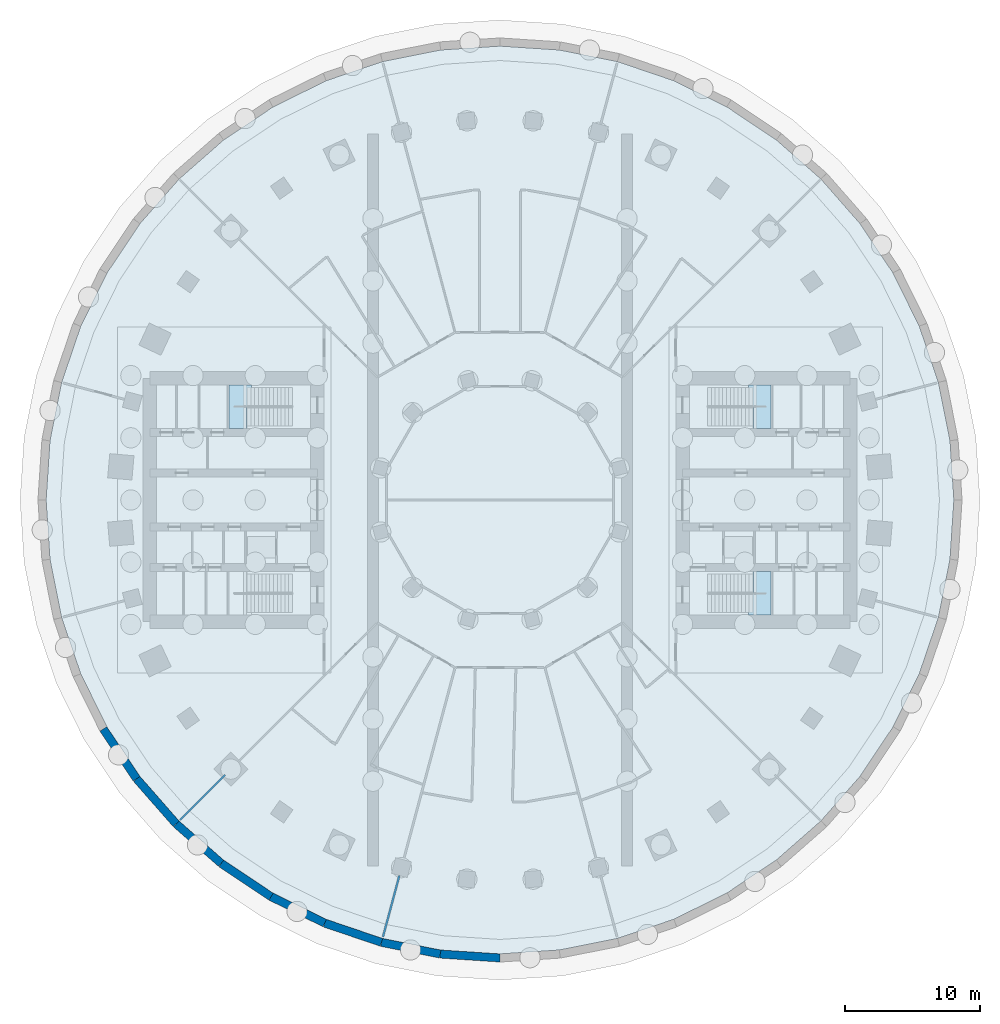
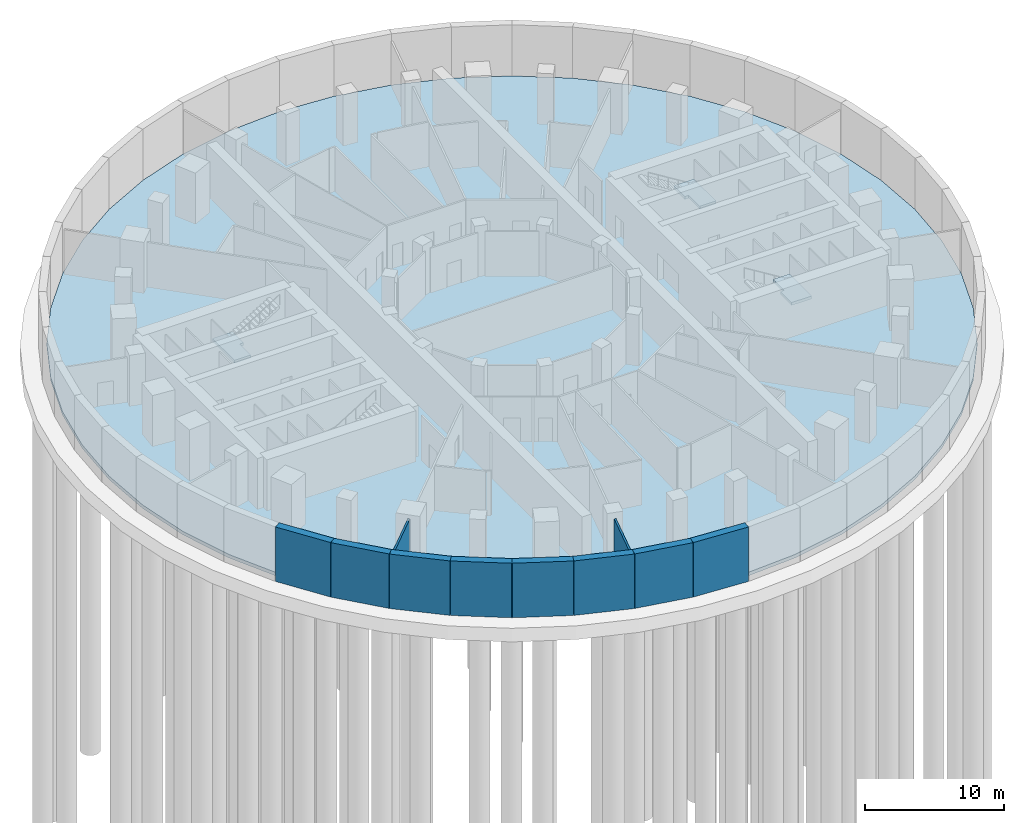
# One storey, part 2 of 10: 10 walls, 4 slabs, 3 elements without a shape of their own.
"""IFC4 building model written with IfcOpenShell, lengths in metres."""

from ifc_helpers import new_model, si_unit, direction, frame, frame_2d, origin, place, context, subcontext, project, spatial, polyline, rectangle, outline, extrude, material, layer, layer_set, type_object, element, aggregate, save


model = new_model("IFC4")

# Units and contexts
model_context = context("Model", 3, precision=1e-05, world=origin(), true_north=direction((0.0, 1.0)))
body_context = subcontext(model_context, "Body", "Model", "MODEL_VIEW")
ifc_project = project(units=[si_unit("LENGTHUNIT", "METRE"), si_unit("AREAUNIT", "SQUARE_METRE"), si_unit("VOLUMEUNIT", "CUBIC_METRE"), si_unit("PLANEANGLEUNIT", "RADIAN"), si_unit("MASSUNIT", "GRAM", prefix="KILO")], contexts=[model_context])

# Site, building, storey
site_placement = place(None, origin())
site = spatial("IfcSite", under=ifc_project, at=site_placement, CompositionType="ELEMENT")
building_placement = place(site_placement, origin())
building = spatial("IfcBuilding", under=site, at=building_placement, Name="Saqina Gate Tower", CompositionType="ELEMENT")
storey_placement = place(building_placement, frame((0.0, 0.0, -9.0)))
storey = spatial("IfcBuildingStorey", under=building, at=storey_placement, Name="B2", CompositionType="ELEMENT", Elevation=-9.0)

# Stair, slab
ifc_material_1 = material(Name="Concrete C40/50", Category="concrete")
stair_type = type_object("IfcStairType", Name="EXIT STAIR", PredefinedType="HALF_TURN_STAIR", material=ifc_material_1)
stair_1_placement = place(storey_placement, origin())
stair_1 = element("IfcStair", 1, at=stair_1_placement, inside=storey, type_object=stair_type, Name="EXIT STAIR 1", PredefinedType="HALF_TURN_STAIR")
ifc_material_2 = material(Name="Concrete C40/50", Category="concrete")
ifc_layer_1 = layer(ifc_material_2, 0.25)
ifc_layer_set_1 = layer_set([ifc_layer_1], Name="Concrete C40/50")
slab_type_1 = type_object("IfcSlabType", Name="EXIT STAIR LANDING", PredefinedType="LANDING", material=ifc_layer_set_1)
slab_1_placement = place(storey_placement, frame((0.0, 0.0, 2.0)))
slab_1 = element("IfcSlab", 2, at=slab_1_placement, type_object=slab_type_1, Name="EXIT STAIR 1 LANDING 1", PredefinedType="LANDING", context=body_context, shape_type="SweptSolid", body=[
    extrude(outline(polyline([(20.06005859375, 8.5), (20.06005859375, 5.300048828125), (18.705078125, 5.300048828125), (18.705078125, 6.89990234375), (18.384765625, 6.89990234375), (18.384765625, 8.5), (18.705078125, 8.5), (18.7099609375, 8.5), (20.06005859375, 8.5)])), origin(), (0.0, 0.0, 1.0), 0.25),
])
aggregate(stair_1, [slab_1])

stair_2_placement = place(storey_placement, origin())
stair_2 = element("IfcStair", 3, at=stair_2_placement, inside=storey, type_object=stair_type, Name="EXIT STAIR 2", PredefinedType="HALF_TURN_STAIR")
slab_2_placement = place(storey_placement, frame((0.0, 0.0, 2.0)))
slab_2 = element("IfcSlab", 4, at=slab_2_placement, type_object=slab_type_1, Name="EXIT STAIR 2 LANDING 1", PredefinedType="LANDING", context=body_context, shape_type="SweptSolid", body=[
    extrude(outline(polyline([(18.384765625, -8.5), (18.384765625, -6.89990234375), (18.705078125, -6.89990234375), (18.705078125, -5.300048828125), (20.06005859375, -5.300048828125), (20.06005859375, -8.5), (18.7099609375, -8.5), (18.705078125, -8.5), (18.384765625, -8.5)])), origin(), (0.0, 0.0, 1.0), 0.25),
])
aggregate(stair_2, [slab_2])

stair_3_placement = place(storey_placement, origin())
stair_3 = element("IfcStair", 5, at=stair_3_placement, inside=storey, type_object=stair_type, Name="EXIT STAIR 3", PredefinedType="HALF_TURN_STAIR")
slab_3_placement = place(storey_placement, frame((0.0, 0.0, 2.0)))
slab_3 = element("IfcSlab", 6, at=slab_3_placement, type_object=slab_type_1, Name="EXIT STAIR 3 LANDING 1", PredefinedType="LANDING", context=body_context, shape_type="SweptSolid", body=[
    extrude(outline(polyline([(-18.705078125, 5.300048828125), (-20.06005859375, 5.300048828125), (-20.06005859375, 8.5), (-18.7099609375, 8.5), (-18.705078125, 8.5), (-18.384765625, 8.5), (-18.384765625, 6.89990234375), (-18.705078125, 6.89990234375), (-18.705078125, 5.300048828125)])), origin(), (0.0, 0.0, 1.0), 0.25),
])
aggregate(stair_3, [slab_3])

# Slab
ifc_material_3 = material(Name="Concrete C40/50", Category="concrete")
ifc_layer_2 = layer(ifc_material_3, 0.300048828125)
ifc_layer_set_2 = layer_set([ifc_layer_2], Name="Concrete C40/50")
slab_type_2 = type_object("IfcSlabType", Name="STR-SLAB BASE-300", PredefinedType="BASESLAB", material=ifc_layer_set_2)
slab_4_placement = place(storey_placement, frame((0.0, 0.0, -0.300048828125)))
element("IfcSlab", 7, at=slab_4_placement, inside=storey, type_object=slab_type_2, Name="B2-SLB01", PredefinedType="BASESLAB", context=body_context, shape_type="SweptSolid", body=[
    extrude(outline(polyline([(33.57177734375, 0.0), (33.28466796875, 4.382080078125), (32.427978515625, 8.68896484375), (31.016357421875, 12.847412109375), (29.07421875, 16.785888671875), (26.63427734375, 20.437255859375), (23.739013671875, 23.739013671875), (20.437255859375, 26.63427734375), (16.785888671875, 29.07421875), (12.847412109375, 31.016357421875), (8.68896484375, 32.427978515625), (4.382080078125, 33.28466796875), (0.0, 33.57177734375), (-4.382080078125, 33.28466796875), (-8.68896484375, 32.427978515625), (-12.847412109375, 31.016357421875), (-16.785888671875, 29.07421875), (-20.437255859375, 26.63427734375), (-23.739013671875, 23.739013671875), (-26.63427734375, 20.437255859375), (-29.07421875, 16.785888671875), (-31.016357421875, 12.847412109375), (-32.427978515625, 8.68896484375), (-33.28466796875, 4.382080078125), (-33.57177734375, 0.0), (-33.28466796875, -4.382080078125), (-32.427978515625, -8.68896484375), (-31.016357421875, -12.847412109375), (-29.07421875, -16.785888671875), (-26.63427734375, -20.437255859375), (-23.739013671875, -23.739013671875), (-20.437255859375, -26.63427734375), (-16.785888671875, -29.07421875), (-12.847412109375, -31.016357421875), (-8.68896484375, -32.427978515625), (-4.382080078125, -33.28466796875), (0.0, -33.57177734375), (4.382080078125, -33.28466796875), (8.68896484375, -32.427978515625), (12.847412109375, -31.016357421875), (16.785888671875, -29.07421875), (20.437255859375, -26.63427734375), (23.739013671875, -23.739013671875), (26.63427734375, -20.437255859375), (29.07421875, -16.785888671875), (31.016357421875, -12.847412109375), (32.427978515625, -8.68896484375), (33.28466796875, -4.382080078125), (33.57177734375, 0.0)])), origin(), (0.0, 0.0, 1.0), 0.300048828125),
])

# Walls
ifc_material_4 = material(Name="Masonry block and plaster, 150 mm, fire rated", Category="masonry")
ifc_layer_3 = layer(ifc_material_4, 0.14990234375)
ifc_layer_set_3 = layer_set([ifc_layer_3], Name="SPECIAL PARTITION EI 60 150")
wall_type_1 = type_object("IfcWallType", Name="SPECIAL PARTITION EI 60 150", PredefinedType="PARTITIONING", material=ifc_layer_set_3)
wall_1_placement = place(storey_placement, frame((-23.65087890625, -23.65087890625, 0.0), z_axis=(0.0, 0.0, 1.0), x_axis=(0.707106781187, 0.707106781187, 0.0)))
element("IfcWall", 8, at=wall_1_placement, inside=storey, type_object=wall_type_1, Name="PARTITION 053", PredefinedType="PARTITIONING", context=body_context, shape_type="SweptSolid", body=[
    extrude(rectangle(XDim=4.687255859375, YDim=0.14990234375, at=frame_2d((2.34375, 0.0))), origin(), (0.0, 0.0, 1.0), 3.949951171875),
])
wall_2_placement = place(storey_placement, frame((-8.656494140625, -32.30810546875, 0.0), z_axis=(0.0, 0.0, 1.0), x_axis=(0.258787281972, 0.965934336634, 0.0)))
element("IfcWall", 9, at=wall_2_placement, inside=storey, type_object=wall_type_1, Name="PARTITION 063", PredefinedType="PARTITIONING", context=body_context, shape_type="SweptSolid", body=[
    extrude(rectangle(XDim=4.687744140625, YDim=0.14990234375, at=frame_2d((2.34375, 0.0))), origin(), (0.0, 0.0, 1.0), 3.949951171875),
])
ifc_material_5 = material(Name="Concrete C40/50", Category="concrete")
ifc_layer_4 = layer(ifc_material_5, 0.60009765625)
ifc_layer_set_4 = layer_set([ifc_layer_4], Name="Concrete C40/50")
wall_type_2 = type_object("IfcWallType", Name="STR-WALL-RETAINING", PredefinedType="SOLIDWALL", material=ifc_layer_set_4)
wall_3_placement = place(storey_placement, frame((-29.33447265625, -16.936279296875, -0.300048828125), z_axis=(0.0, 0.0, 1.0), x_axis=(0.555577255626, -0.831464919904, 0.0)))
element("IfcWall", 10, at=wall_3_placement, inside=storey, type_object=wall_type_2, Name="BASEMENT RETAINING WALL 29", PredefinedType="SOLIDWALL", context=body_context, shape_type="SweptSolid", body=[
    extrude(rectangle(XDim=4.430908203125, YDim=0.60009765625, at=frame_2d((2.21533203125, 0.0))), origin(), (0.0, 0.0, 1.0), 4.800048828125),
])
for number, where, z_axis, x_axis, name in (
    (11, (-26.872802734375, -20.620361328125, -0.300048828125), (0.0, 0.0, 1.0), (0.659362420985, -0.751825244185, 0.0), "BASEMENT RETAINING WALL 30"),
    (12, (-23.951416015625, -23.951416015625, -0.300048828125), (0.0, 0.0, 1.0), (0.751825244185, -0.659362420985, 0.0), "BASEMENT RETAINING WALL 31"),
):
    element("IfcWall", number, at=place(storey_placement, frame(where, z_axis=z_axis, x_axis=x_axis)), inside=storey, type_object=wall_type_2, Name=name, PredefinedType="SOLIDWALL", context=body_context, shape_type="SweptSolid", body=[
        extrude(rectangle(XDim=4.4306640625, YDim=0.60009765625, at=frame_2d((2.21533203125, 0.0))), origin(), (0.0, 0.0, 1.0), 4.800048828125),
    ])
for number, where, z_axis, x_axis, name in (
    (13, (-20.620361328125, -26.872802734375, -0.300048828125), (0.0, 0.0, 1.0), (0.831464919904, -0.555577255626, 0.0), "BASEMENT RETAINING WALL 32"),
    (14, (-16.936279296875, -29.33447265625, -0.300048828125), (0.0, 0.0, 1.0), (0.896871169992, -0.442291876975, 0.0), "BASEMENT RETAINING WALL 33"),
):
    element("IfcWall", number, at=place(storey_placement, frame(where, z_axis=z_axis, x_axis=x_axis)), inside=storey, type_object=wall_type_2, Name=name, PredefinedType="SOLIDWALL", context=body_context, shape_type="SweptSolid", body=[
        extrude(rectangle(XDim=4.430908203125, YDim=0.60009765625, at=frame_2d((2.21533203125, 0.0))), origin(), (0.0, 0.0, 1.0), 4.800048828125),
    ])
wall_4_placement = place(storey_placement, frame((-12.96240234375, -31.294189453125, -0.300048828125), z_axis=(0.0, 0.0, 1.0), x_axis=(0.946938874807, -0.321413701295, 0.0)))
element("IfcWall", 15, at=wall_4_placement, inside=storey, type_object=wall_type_2, Name="BASEMENT RETAINING WALL 34", PredefinedType="SOLIDWALL", context=body_context, shape_type="SweptSolid", body=[
    extrude(rectangle(XDim=4.4306640625, YDim=0.60009765625, at=frame_2d((2.21533203125, 0.0))), origin(), (0.0, 0.0, 1.0), 4.800048828125),
])
wall_5_placement = place(storey_placement, frame((-8.766845703125, -32.71826171875, -0.300048828125), z_axis=(0.0, 0.0, 1.0), x_axis=(0.980781486227, -0.195109395659, 0.0)))
element("IfcWall", 16, at=wall_5_placement, inside=storey, type_object=wall_type_2, Name="BASEMENT RETAINING WALL 35", PredefinedType="SOLIDWALL", context=body_context, shape_type="SweptSolid", body=[
    extrude(rectangle(XDim=4.430908203125, YDim=0.60009765625, at=frame_2d((2.21533203125, 0.0))), origin(), (0.0, 0.0, 1.0), 4.800048828125),
])
wall_6_placement = place(storey_placement, frame((-4.421142578125, -33.582763671875, -0.300048828125), z_axis=(0.0, 0.0, 1.0), x_axis=(0.997858659156, -0.065407158232, 0.0)))
element("IfcWall", 17, at=wall_6_placement, inside=storey, type_object=wall_type_2, Name="BASEMENT RETAINING WALL 36", PredefinedType="SOLIDWALL", context=body_context, shape_type="SweptSolid", body=[
    extrude(rectangle(XDim=4.4306640625, YDim=0.60009765625, at=frame_2d((2.21533203125, 0.0))), origin(), (0.0, 0.0, 1.0), 4.800048828125),
])

save(model, "model.ifc")
